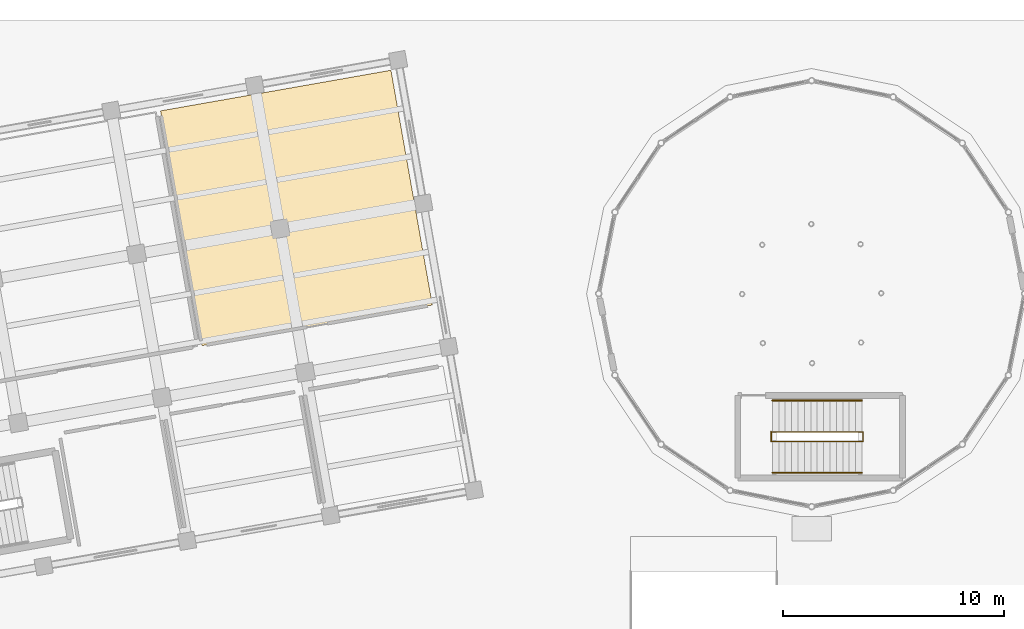
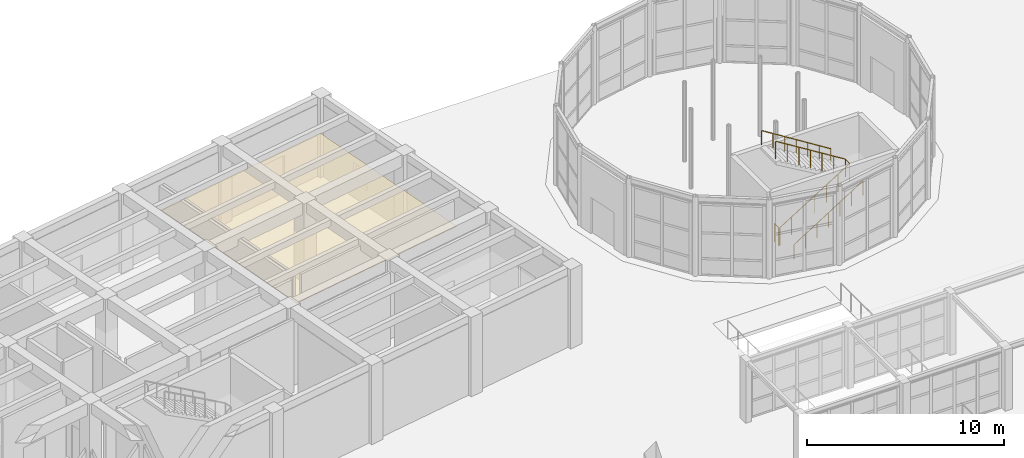
# One storey, part 54 of 57: 4 railings, 1 covering.
"""IFC4 building model written with IfcOpenShell, lengths in metres."""

import ifcopenshell
import ifcopenshell.guid

model = None  # the IFC model being written
_history = None  # IfcOwnerHistory: only IFC2X3 demands one
_inside = {}  # id of a spatial element -> (the spatial element, [elements in it])
_under = {}  # id of a project, library or spatial element -> (it, [spatial elements below it])
_declared = {}  # id of a project -> (the project, [libraries it declares])
_typed = {}  # id of a type object -> (the type object, [elements of that type])
_made_of = {}  # id of a material, layer set ... -> (it, [elements and type objects made of it])


def new_model(schema):
    """Start an empty IFC model of exactly this schema.

    Asked for "IFC4X3", IfcOpenShell would pick the latest addendum, in which some entities
    have other attributes; the version numbers below select the first issue.
    IFC2X3 requires an IfcOwnerHistory on every rooted entity: one is made here for all.
    """
    global model, _history
    if schema == "IFC4X3":
        model = ifcopenshell.file(schema_version=(4, 3, 0, 0))
    else:
        model = ifcopenshell.file(schema=schema)
    _inside.clear()
    _under.clear()
    _declared.clear()
    _typed.clear()
    _made_of.clear()
    _history = None
    if model.schema == "IFC2X3":
        org = make("IfcOrganization", Name="unknown")
        user = make(
            "IfcPersonAndOrganization",
            ThePerson=make("IfcPerson", FamilyName="unknown"),
            TheOrganization=org,
        )
        app = make(
            "IfcApplication",
            ApplicationDeveloper=org,
            Version="unknown",
            ApplicationFullName="unknown",
            ApplicationIdentifier="unknown",
        )
        _history = make(
            "IfcOwnerHistory",
            OwningUser=user,
            OwningApplication=app,
            ChangeAction="ADDED",
            CreationDate=0,
        )
    return model


def make(cls, **values):
    """One entity of the class cls with the attributes given. An attribute that is None is left unset."""
    return model.create_entity(
        cls, **{name: value for name, value in values.items() if value is not None}
    )


def rooted(cls, **values):
    """An entity with a GlobalId (a new one), such as an element, a storey or a relation."""
    return make(cls, GlobalId=ifcopenshell.guid.new(), OwnerHistory=_history, **values)


def si_unit(unit_type, name, prefix=None):
    """IfcSIUnit, for example si_unit("LENGTHUNIT", "METRE", prefix="MILLI")."""
    return make("IfcSIUnit", UnitType=unit_type, Prefix=prefix, Name=name)


def assignment(units):
    """IfcUnitAssignment: the units of a project."""
    return None if units is None else make("IfcUnitAssignment", Units=units)


def point(xyz):
    """IfcCartesianPoint."""
    return None if xyz is None else make("IfcCartesianPoint", Coordinates=xyz)


def direction(xyz):
    """IfcDirection."""
    return None if xyz is None else make("IfcDirection", DirectionRatios=xyz)


def frame(location, z_axis=None, x_axis=None):
    """IfcAxis2Placement3D, a coordinate frame: its origin and axes. An axis left out is left unset."""
    return make(
        "IfcAxis2Placement3D",
        Location=point(location),
        Axis=direction(z_axis),
        RefDirection=direction(x_axis),
    )


def frame_2d(location, x_axis=None):
    """IfcAxis2Placement2D, a coordinate frame in the plane: its origin and x axis."""
    return make(
        "IfcAxis2Placement2D", Location=point(location), RefDirection=direction(x_axis)
    )


def origin():
    """The frame at (0, 0, 0) with its axes left unset."""
    return frame((0.0, 0.0, 0.0))


def origin_2d():
    """The frame at (0, 0) in the plane with its x axis left unset."""
    return frame_2d((0.0, 0.0))


def place(relative_to, where):
    """IfcLocalPlacement: puts the frame where relative to a parent placement (None: the world)."""
    return make(
        "IfcLocalPlacement", PlacementRelTo=relative_to, RelativePlacement=where
    )


def context(
    kind, dimensions, precision=None, world=None, true_north=None, identifier=None
):
    """IfcGeometricRepresentationContext, for example the 3D "Model" context."""
    return make(
        "IfcGeometricRepresentationContext",
        ContextIdentifier=identifier,
        ContextType=kind,
        CoordinateSpaceDimension=dimensions,
        Precision=precision,
        WorldCoordinateSystem=world,
        TrueNorth=true_north,
    )


def subcontext(parent, identifier, kind, view, scale=None):
    """IfcGeometricRepresentationSubContext, for example "Body" below "Model"."""
    return make(
        "IfcGeometricRepresentationSubContext",
        ContextIdentifier=identifier,
        ContextType=kind,
        ParentContext=parent,
        TargetScale=scale,
        TargetView=view,
    )


def project(units=None, contexts=None):
    """IfcProject with its units and contexts."""
    return rooted(
        "IfcProject",
        Name="project",
        RepresentationContexts=contexts,
        UnitsInContext=assignment(units),
    )


def spatial(cls, under=None, at=None, **own):
    """A site, building, storey or space (cls), placed at a placement, below another one or the project."""
    s = rooted(cls, ObjectPlacement=at, **own)
    if under is not None:
        _under.setdefault(under.id(), (under, []))[1].append(s)
    return s


def polyline(points):
    """IfcPolyline through the points."""
    return make("IfcPolyline", Points=[point(p) for p in points])


def profile(cls, at=None, kind="AREA", **sizes):
    """A parametric profile (cls). Its sizes go by their IFC names, for example OverallWidth=200.0."""
    return make(cls, ProfileType=kind, Position=at, **sizes)


def circle(**sizes):
    """IfcCircleProfileDef."""
    return profile("IfcCircleProfileDef", **sizes)


def outline(outer, holes=None, kind="AREA"):
    """IfcArbitraryClosedProfileDef: a profile drawn as a closed curve; with holes, ...WithVoids."""
    if holes is None:
        return make("IfcArbitraryClosedProfileDef", ProfileType=kind, OuterCurve=outer)
    return make(
        "IfcArbitraryProfileDefWithVoids",
        ProfileType=kind,
        OuterCurve=outer,
        InnerCurves=holes,
    )


def extrude(swept, where, along, depth):
    """IfcExtrudedAreaSolid: the profile swept, set in the frame where, extruded along a direction by depth."""
    return make(
        "IfcExtrudedAreaSolid",
        SweptArea=swept,
        Position=where,
        ExtrudedDirection=direction(along),
        Depth=depth,
    )


def shape(context_of_items, identifier, shape_type, items):
    """IfcShapeRepresentation: the items that make up one representation, for example the "Body"."""
    return make(
        "IfcShapeRepresentation",
        ContextOfItems=context_of_items,
        RepresentationIdentifier=identifier,
        RepresentationType=shape_type,
        Items=items,
    )


def material(Name=None, Category=None):
    """IfcMaterial."""
    return make("IfcMaterial", Name=Name, Category=Category)


def layer(
    of_material, thickness, ventilated=None, Name=None, Category=None, Priority=None
):
    """IfcMaterialLayer: one layer of a wall or slab, of a material (None: an air gap)."""
    return make(
        "IfcMaterialLayer",
        Material=of_material,
        LayerThickness=thickness,
        IsVentilated=ventilated,
        Name=Name,
        Category=Category,
        Priority=Priority,
    )


def layer_set(layers, Name=None):
    """IfcMaterialLayerSet."""
    return make("IfcMaterialLayerSet", MaterialLayers=layers, LayerSetName=Name)


def made_of(thing, what):
    """Note that an element or type object is made of a material, layer set ...; save() writes the relation."""
    if what is not None:
        _made_of.setdefault(what.id(), (what, []))[1].append(thing)
    return thing


def type_object(cls, material=None, **own):
    """A type object (cls), such as IfcWallType, which elements share."""
    return made_of(rooted(cls, **own), material)


def element(
    cls,
    number,
    at=None,
    inside=None,
    cuts=None,
    type_object=None,
    material=None,
    context=None,
    identifier="Body",
    shape_type=None,
    held_by="IfcProductDefinitionShape",
    body=None,
    shapes=None,
    **own,
):
    """One element of the class cls, such as IfcWall. Its Tag is "e" and its number.

    at: its placement. inside: the storey or other place that contains it. cuts: it is an
    opening in that element (IfcRelVoidsElement). A single representation is given by context,
    identifier, shape_type and body (its items); several are given by shapes. held_by: the class
    of the entity that holds the representations. save() writes the other relations.
    """
    e = rooted(cls, Tag="e%d" % number, ObjectPlacement=at, **own)
    if body is not None:
        shapes = [shape(context, identifier, shape_type, body)]
    if shapes is not None:
        e.Representation = make(held_by, Representations=shapes)
    if inside is not None:
        _inside.setdefault(inside.id(), (inside, []))[1].append(e)
    if cuts is not None:
        rooted(
            "IfcRelVoidsElement", RelatingBuildingElement=cuts, RelatedOpeningElement=e
        )
    if type_object is not None:
        _typed.setdefault(type_object.id(), (type_object, []))[1].append(e)
    return made_of(e, material)


def aggregate(whole, parts):
    """IfcRelAggregates: a whole, such as a stair, and the parts it consists of."""
    return rooted("IfcRelAggregates", RelatingObject=whole, RelatedObjects=parts)


def save(model, path):
    """Write the relations noted so far, then the file.

    IfcRelAggregates (storeys below a building ...), IfcRelContainedInSpatialStructure (elements
    in a storey), IfcRelDefinesByType, IfcRelAssociatesMaterial and IfcRelDeclares: one each for
    every whole, place, type object, material and project.
    """
    for whole, parts in _under.values():
        aggregate(whole, parts)
    for where, things in _inside.values():
        rooted(
            "IfcRelContainedInSpatialStructure",
            RelatedElements=things,
            RelatingStructure=where,
        )
    for kind, things in _typed.values():
        rooted("IfcRelDefinesByType", RelatedObjects=things, RelatingType=kind)
    for what, things in _made_of.values():
        rooted("IfcRelAssociatesMaterial", RelatedObjects=things, RelatingMaterial=what)
    for by, libraries in _declared.values():
        rooted("IfcRelDeclares", RelatingContext=by, RelatedDefinitions=libraries)
    model.write(path)


model = new_model("IFC4")

# Units and contexts
model_context = context("Model", 3, precision=1e-05, world=origin(), true_north=direction((0.0, 1.0)))
body_context = subcontext(model_context, "Body", "Model", "MODEL_VIEW")
ifc_project = project(units=[si_unit("LENGTHUNIT", "METRE"), si_unit("AREAUNIT", "SQUARE_METRE"), si_unit("VOLUMEUNIT", "CUBIC_METRE"), si_unit("PLANEANGLEUNIT", "RADIAN"), si_unit("MASSUNIT", "GRAM", prefix="KILO")], contexts=[model_context])

# Site, building, storey
site_placement = place(None, origin())
site = spatial("IfcSite", under=ifc_project, at=site_placement, CompositionType="ELEMENT")
building_placement = place(site_placement, origin())
building = spatial("IfcBuilding", under=site, at=building_placement, Name="Kharisveld Research Institute", CompositionType="ELEMENT")
storey_placement = place(building_placement, origin())
storey = spatial("IfcBuildingStorey", under=building, at=storey_placement, Name="L00", CompositionType="ELEMENT", Elevation=0.0)

# Covering
ifc_material_1 = material(Name="Mineral-Fibre Acoustic Ceiling", Category="mineral")
ifc_layer = layer(ifc_material_1, 0.02490234375)
ifc_layer_set = layer_set([ifc_layer], Name="CV_CEIL_AC")
covering_type = type_object("IfcCoveringType", Name="CV_CEIL_AC", PredefinedType="CEILING", material=ifc_layer_set)
covering_placement = place(storey_placement, frame((0.0, 0.0, 2.800048828125)))
element("IfcCovering", 1, at=covering_placement, inside=storey, type_object=covering_type, Name="COV:RM:V1:L00:WU0A:CEIL", PredefinedType="CEILING", context=body_context, shape_type="SweptSolid", body=[
    extrude(outline(polyline([(31.8720703125, 48.44580078125), (42.31103515625, 50.286376953125), (40.435791015625, 60.92236328125), (29.996826171875, 59.08154296875), (31.8720703125, 48.44580078125)])), origin(), (0.0, 0.0, 1.0), 0.02490234375),
])

# Railings
ifc_material_2 = material(Name="Steel S355JR", Category="steel")
railing_type_1 = type_object("IfcRailingType", Name="RL_GRD_STR", PredefinedType="GUARDRAIL", material=ifc_material_2)
railing_1_placement = place(storey_placement, frame((57.719970703125, 44.10009765625, 0.0)))
element("IfcRailing", 2, at=railing_1_placement, inside=storey, type_object=railing_type_1, Name="RLG:ST7:L00:GRD_SLOT", PredefinedType="GUARDRAIL", context=body_context, shape_type="SweptSolid", body=[
    extrude(circle(Radius=0.02392578125, at=origin_2d()), frame((0.0, 0.0, 1.09619140625), z_axis=(0.849160918005, 0.0, 0.52813420201), x_axis=(0.0, 1.0, 0.0)), (0.0, 0.0, 1.0), 4.828369140625),
    extrude(circle(Radius=0.02392578125, at=origin_2d()), frame((4.10009765625, 0.0, 3.64599609375), z_axis=(0.0, 1.0, 0.0), x_axis=(-1.0, 0.0, 0.0)), (0.0, 0.0, 1.0), 0.43994140625),
    extrude(circle(Radius=0.02392578125, at=origin_2d()), frame((4.10009765625, 0.43994140625, 3.64599609375), z_axis=(-0.849160918005, 0.0, 0.52813420201), x_axis=(0.0, -1.0, 0.0)), (0.0, 0.0, 1.0), 4.828369140625),
    extrude(circle(Radius=0.02099609375, at=origin_2d()), origin(), (0.0, 0.0, 1.0), 1.072021484375),
    extrude(circle(Radius=0.02099609375, at=origin_2d()), frame((0.683349609375, 0.0, 0.425048828125)), (0.0, 0.0, 1.0), 1.072021484375),
    extrude(circle(Radius=0.02099609375, at=origin_2d()), frame((1.36669921875, 0.0, 0.85009765625)), (0.0, 0.0, 1.0), 1.072021484375),
    extrude(circle(Radius=0.02099609375, at=origin_2d()), frame((2.050048828125, 0.0, 1.27490234375)), (0.0, 0.0, 1.0), 1.072021484375),
    extrude(circle(Radius=0.02099609375, at=origin_2d()), frame((2.7333984375, 0.0, 1.699951171875)), (0.0, 0.0, 1.0), 1.072021484375),
    extrude(circle(Radius=0.02099609375, at=origin_2d()), frame((3.416748046875, 0.0, 2.125)), (0.0, 0.0, 1.0), 1.072021484375),
    extrude(circle(Radius=0.02099609375, at=origin_2d()), frame((4.10009765625, 0.0, 2.550048828125)), (0.0, 0.0, 1.0), 1.072021484375),
    extrude(circle(Radius=0.02099609375, at=origin_2d()), frame((4.10009765625, 0.43994140625, 2.550048828125)), (0.0, 0.0, 1.0), 1.072021484375),
    extrude(circle(Radius=0.02099609375, at=origin_2d()), frame((3.416748046875, 0.43994140625, 2.97509765625)), (0.0, 0.0, 1.0), 1.072021484375),
    extrude(circle(Radius=0.02099609375, at=origin_2d()), frame((2.7333984375, 0.43994140625, 3.400146484375)), (0.0, 0.0, 1.0), 1.072021484375),
    extrude(circle(Radius=0.02099609375, at=origin_2d()), frame((2.050048828125, 0.43994140625, 3.8251953125)), (0.0, 0.0, 1.0), 1.072021484375),
    extrude(circle(Radius=0.02099609375, at=origin_2d()), frame((1.36669921875, 0.43994140625, 4.25)), (0.0, 0.0, 1.0), 1.072021484375),
    extrude(circle(Radius=0.02099609375, at=origin_2d()), frame((0.683349609375, 0.43994140625, 4.675048828125)), (0.0, 0.0, 1.0), 1.072021484375),
    extrude(circle(Radius=0.02099609375, at=origin_2d()), frame((0.0, 0.43994140625, 5.10009765625)), (0.0, 0.0, 1.0), 1.072021484375),
])
railing_2_placement = place(storey_placement, frame((57.659912109375, 44.10009765625, 0.0)))
element("IfcRailing", 3, at=railing_2_placement, inside=storey, type_object=railing_type_1, Name="RLG:ST7:L00:GRD_FLRSLOT", PredefinedType="GUARDRAIL", context=body_context, shape_type="SweptSolid", body=[
    extrude(circle(Radius=0.02392578125, at=origin_2d()), frame((0.0, 0.0, 1.09619140625), z_axis=(0.0, 1.0, 0.0), x_axis=(-1.0, 0.0, 0.0)), (0.0, 0.0, 1.0), 0.43994140625),
    extrude(circle(Radius=0.02099609375, at=origin_2d()), origin(), (0.0, 0.0, 1.0), 1.072021484375),
    extrude(circle(Radius=0.02099609375, at=origin_2d()), frame((0.0, 0.43994140625, 0.0)), (0.0, 0.0, 1.0), 1.072021484375),
])
ifc_material_3 = material(Name="Stainless Steel 316", Category="steel")
railing_type_2 = type_object("IfcRailingType", Name="RL_HND_STR", PredefinedType="HANDRAIL", material=ifc_material_3)
railing_3_placement = place(storey_placement, frame((57.719970703125, 42.679931640625, 0.0)))
element("IfcRailing", 4, at=railing_3_placement, inside=storey, type_object=railing_type_2, Name="RLG:ST7:L00:HR1", PredefinedType="HANDRAIL", context=body_context, shape_type="SweptSolid", body=[
    extrude(circle(Radius=0.02392578125, at=origin_2d()), frame((0.0, 0.0, 0.89599609375), z_axis=(0.84682331819, 0.0, 0.531874296963), x_axis=(0.0, 1.0, 0.0)), (0.0, 0.0, 1.0), 4.79443359375),
    extrude(circle(Radius=0.02099609375, at=origin_2d()), origin(), (0.0, 0.0, 1.0), 0.871826171875),
    extrude(circle(Radius=0.02099609375, at=origin_2d()), frame((0.6767578125, 0.0, 0.425048828125)), (0.0, 0.0, 1.0), 0.871826171875),
    extrude(circle(Radius=0.02099609375, at=origin_2d()), frame((1.353271484375, 0.0, 0.85009765625)), (0.0, 0.0, 1.0), 0.871826171875),
    extrude(circle(Radius=0.02099609375, at=origin_2d()), frame((2.030029296875, 0.0, 1.27490234375)), (0.0, 0.0, 1.0), 0.871826171875),
    extrude(circle(Radius=0.02099609375, at=origin_2d()), frame((2.706787109375, 0.0, 1.699951171875)), (0.0, 0.0, 1.0), 0.871826171875),
    extrude(circle(Radius=0.02099609375, at=origin_2d()), frame((3.38330078125, 0.0, 2.125)), (0.0, 0.0, 1.0), 0.871826171875),
    extrude(circle(Radius=0.02099609375, at=origin_2d()), frame((4.06005859375, 0.0, 2.550048828125)), (0.0, 0.0, 1.0), 0.871826171875),
])
railing_4_placement = place(storey_placement, frame((61.780029296875, 45.9599609375, 2.550048828125)))
element("IfcRailing", 5, at=railing_4_placement, inside=storey, type_object=railing_type_2, Name="RLG:ST7:L00:HR2", PredefinedType="HANDRAIL", context=body_context, shape_type="SweptSolid", body=[
    extrude(circle(Radius=0.02392578125, at=origin_2d()), frame((0.0, 0.0, 0.89599609375), z_axis=(-0.84682331819, 0.0, 0.531874296963), x_axis=(0.0, -1.0, 0.0)), (0.0, 0.0, 1.0), 4.79443359375),
    extrude(circle(Radius=0.02099609375, at=origin_2d()), origin(), (0.0, 0.0, 1.0), 0.871826171875),
    extrude(circle(Radius=0.02099609375, at=origin_2d()), frame((-0.6767578125, 0.0, 0.425048828125)), (0.0, 0.0, 1.0), 0.871826171875),
    extrude(circle(Radius=0.02099609375, at=origin_2d()), frame((-1.353271484375, 0.0, 0.85009765625)), (0.0, 0.0, 1.0), 0.871826171875),
    extrude(circle(Radius=0.02099609375, at=origin_2d()), frame((-2.030029296875, 0.0, 1.27490234375)), (0.0, 0.0, 1.0), 0.871826171875),
    extrude(circle(Radius=0.02099609375, at=origin_2d()), frame((-2.706787109375, 0.0, 1.699951171875)), (0.0, 0.0, 1.0), 0.871826171875),
    extrude(circle(Radius=0.02099609375, at=origin_2d()), frame((-3.38330078125, 0.0, 2.125)), (0.0, 0.0, 1.0), 0.871826171875),
    extrude(circle(Radius=0.02099609375, at=origin_2d()), frame((-4.06005859375, 0.0, 2.550048828125)), (0.0, 0.0, 1.0), 0.871826171875),
])

save(model, "model.ifc")
